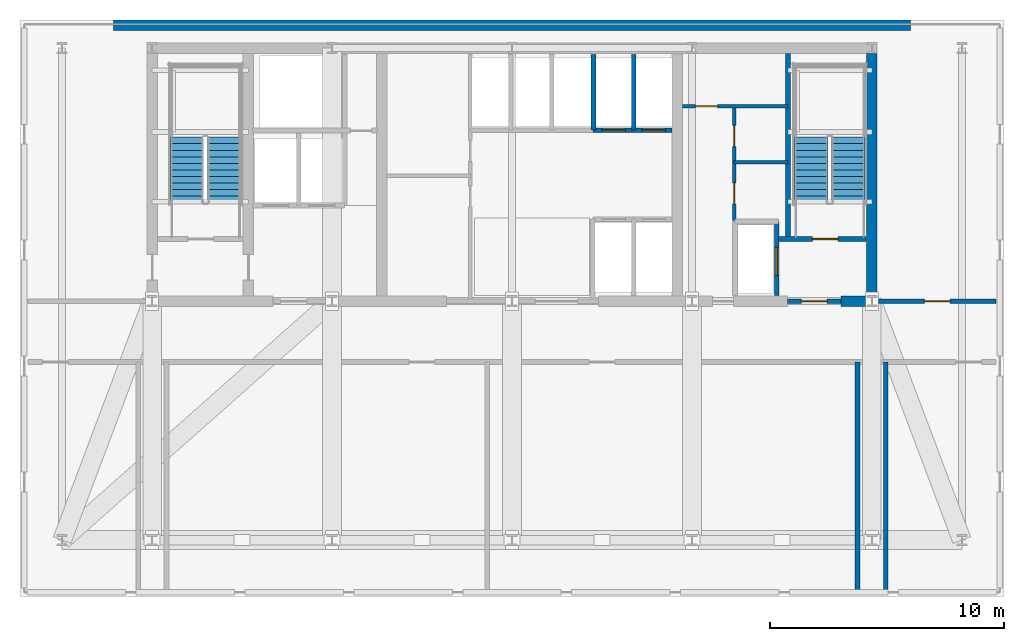
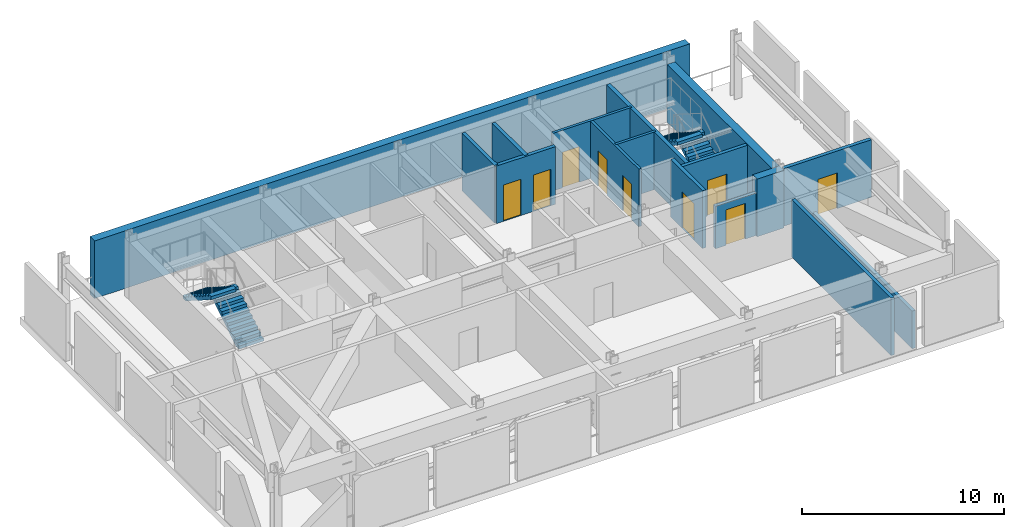
# One storey, part 3 of 7: 16 walls, 9 doors, 4 stair flights, 9 openings, 2 elements without a shape of their own.
"""IFC4 building model written with IfcOpenShell, lengths in metres."""

from ifc_helpers import new_model, si_unit, direction, frame, frame_2d, origin, place, context, subcontext, project, spatial, polyline, rectangle, outline, extrude, material, layer, layer_set, type_object, element, fill, aggregate, save


model = new_model("IFC4")

# Units and contexts
model_context = context("Model", 3, precision=1e-05, world=origin(), true_north=direction((0.0, 1.0)))
body_context = subcontext(model_context, "Body", "Model", "MODEL_VIEW")
ifc_project = project(units=[si_unit("LENGTHUNIT", "METRE"), si_unit("AREAUNIT", "SQUARE_METRE"), si_unit("VOLUMEUNIT", "CUBIC_METRE"), si_unit("PLANEANGLEUNIT", "RADIAN"), si_unit("MASSUNIT", "GRAM", prefix="KILO")], contexts=[model_context])

# Site, building, storey
site_placement = place(None, origin())
site = spatial("IfcSite", under=ifc_project, at=site_placement, CompositionType="ELEMENT")
building_placement = place(site_placement, origin())
building = spatial("IfcBuilding", under=site, at=building_placement, Name="Yelkora Congress Tower", CompositionType="ELEMENT")
storey_placement = place(building_placement, frame((0.0, 0.0, 145.10009765625)))
storey = spatial("IfcBuildingStorey", under=building, at=storey_placement, Name="L39", CompositionType="ELEMENT", Elevation=145.10009765625)

# Walls
ifc_material_1 = material(Name="Concrete C60/75", Category="concrete")
ifc_layer_1 = layer(ifc_material_1, 0.449951171875)
ifc_layer_set_1 = layer_set([ifc_layer_1], Name="Concrete C60/75")
wall_type_1 = type_object("IfcWallType", Name="WALL-CORE-EXT-450", PredefinedType="SHEAR", material=ifc_layer_set_1)
wall_1_placement = place(storey_placement, frame((21.39990234375, 47.175048828125, 0.0), z_axis=(0.0, 0.0, 1.0), x_axis=(1.0, 0.0, 0.0)))
element("IfcWall", 1, at=wall_1_placement, inside=storey, type_object=wall_type_1, Name="L39 Exterior North Core Shear Wall", PredefinedType="SHEAR", context=body_context, shape_type="SweptSolid", body=[
    extrude(rectangle(XDim=34.0, YDim=0.449951171875, at=frame_2d((17.0, 0.0))), origin(), (0.0, 0.0, 1.0), 3.47998046875),
])
ifc_material_2 = material(Name="Concrete C50/60", Category="concrete")
ifc_layer_2 = layer(ifc_material_2, 0.219970703125)
ifc_layer_set_2 = layer_set([ifc_layer_2], Name="Concrete C50/60")
wall_type_2 = type_object("IfcWallType", Name="WALL-CORE-INT-220", PredefinedType="SHEAR", material=ifc_layer_set_2)
wall_2_placement = place(storey_placement, frame((50.179931640625, 38.050048828125, 0.0), z_axis=(0.0, 0.0, 1.0), x_axis=(0.0, 1.0, 0.0)))
element("IfcWall", 2, at=wall_2_placement, inside=storey, type_object=wall_type_2, Name="L39 ST02 West Stair Shear Wall", PredefinedType="SHEAR", context=body_context, shape_type="SweptSolid", body=[
    extrude(rectangle(XDim=7.925048828125, YDim=0.219970703125, at=frame_2d((3.96240234375, 0.0))), origin(), (0.0, 0.0, 1.0), 3.47998046875),
])
ifc_layer_3 = layer(ifc_material_1, 0.449951171875)
ifc_layer_set_3 = layer_set([ifc_layer_3], Name="Concrete C60/75")
wall_type_3 = type_object("IfcWallType", Name="WALL-CORE-INT-450", PredefinedType="SHEAR", material=ifc_layer_set_3)
wall_3_placement = place(storey_placement, frame((52.449951171875, 35.39990234375, 0.0), z_axis=(0.0, 0.0, 1.0), x_axis=(1.0, 0.0, 0.0)))
element("IfcWall", 3, at=wall_3_placement, inside=storey, type_object=wall_type_3, Name="L39 Rear Core South-East Shear Wall B", PredefinedType="SHEAR", context=body_context, shape_type="SweptSolid", body=[
    extrude(rectangle(XDim=1.53515625, YDim=0.449951171875, at=frame_2d((0.767578125, 0.0))), origin(), (0.0, 0.0, 1.0), 3.47998046875),
])
wall_4_placement = place(storey_placement, frame((53.760009765625, 35.625, 0.0), z_axis=(0.0, 0.0, 1.0), x_axis=(0.0, 1.0, 0.0)))
element("IfcWall", 4, at=wall_4_placement, inside=storey, type_object=wall_type_3, Name="L39 Rear Core Cross Shear Wall E", PredefinedType="SHEAR", context=body_context, shape_type="SweptSolid", body=[
    extrude(rectangle(XDim=10.35009765625, YDim=0.449951171875, at=frame_2d((5.175048828125, 0.0))), origin(), (0.0, 0.0, 1.0), 3.47998046875),
])

# Wall, opening, door
ifc_material_3 = material(Name="Acoustic metal-stud gypsum partition", Category="gypsum")
ifc_layer_4 = layer(ifc_material_3, 0.14990234375)
ifc_layer_set_4 = layer_set([ifc_layer_4], Name="Acoustic metal-stud gypsum partition")
wall_type_4 = type_object("IfcWallType", Name="WALL-INT-150-NR", PredefinedType="PARTITIONING", material=ifc_layer_set_4)
wall_5_placement = place(storey_placement, frame((45.679931640625, 43.719970703125, 0.0), z_axis=(0.0, 0.0, 1.0), x_axis=(1.0, 0.0, 0.0)))
wall_5 = element("IfcWall", 5, at=wall_5_placement, inside=storey, type_object=wall_type_4, Name="L39 Partition Wall 24", PredefinedType="PARTITIONING", context=body_context, shape_type="SweptSolid", body=[
    extrude(rectangle(XDim=4.5, YDim=0.14990234375, at=frame_2d((2.25, 0.0))), origin(), (0.0, 0.0, 1.0), 3.47998046875),
])
opening_1_placement = place(wall_5_placement, frame((0.550048828125, 0.0, 0.0)))
opening_1 = element("IfcOpeningElement", 6, at=opening_1_placement, cuts=wall_5, Name="Opening DR-095N", PredefinedType="OPENING", context=body_context, shape_type="SweptSolid", body=[
    extrude(rectangle(XDim=0.949951171875, YDim=2.14990234375, at=frame_2d((0.47509765625, 1.074951171875))), frame((0.0, 0.0849609375, 0.0), z_axis=(0.0, -1.0, 0.0), x_axis=(1.0, 0.0, 0.0)), (0.0, 0.0, 1.0), 0.169921875),
])
ifc_material_4 = material(Name="Acoustic laminated timber office door", Category="wood")
door_type_1 = type_object("IfcDoorType", Name="DOOR-INT-950", OperationType="NOTDEFINED", PredefinedType="DOOR", material=ifc_material_4)
door_1_placement = place(opening_1_placement, origin())
door_1 = element("IfcDoor", 7, at=door_1_placement, inside=storey, type_object=door_type_1, Name="L39 Accessible WC Door", OperationType="SINGLE_SWING_RIGHT", OverallHeight=2.14990234375, OverallWidth=0.949951171875, PredefinedType="DOOR", context=body_context, shape_type="SweptSolid", body=[
    extrude(rectangle(XDim=0.949951171875, YDim=2.14990234375, at=frame_2d((0.47509765625, 1.074951171875))), frame((0.0, 0.02490234375, 0.0), z_axis=(0.0, -1.0, 0.0), x_axis=(1.0, 0.0, 0.0)), (0.0, 0.0, 1.0), 0.050048828125),
])
fill(opening_1, door_1)

# Wall
wall_6_placement = place(storey_placement, frame((47.8798828125, 41.320068359375, 0.0), z_axis=(0.0, 0.0, 1.0), x_axis=(1.0, 0.0, 0.0)))
element("IfcWall", 8, at=wall_6_placement, inside=storey, type_object=wall_type_4, Name="L39 Partition Wall 25", PredefinedType="PARTITIONING", context=body_context, shape_type="SweptSolid", body=[
    extrude(rectangle(XDim=2.300048828125, YDim=0.14990234375, at=frame_2d((1.14990234375, 0.0))), origin(), (0.0, 0.0, 1.0), 3.47998046875),
])

# Wall, openings, doors
wall_7_placement = place(storey_placement, frame((47.8798828125, 38.85009765625, 0.0), z_axis=(0.0, 0.0, 1.0), x_axis=(0.0, 1.0, 0.0)))
wall_7 = element("IfcWall", 9, at=wall_7_placement, inside=storey, type_object=wall_type_4, Name="L39 Partition Wall 26", PredefinedType="PARTITIONING", context=body_context, shape_type="SweptSolid", body=[
    extrude(rectangle(XDim=4.869873046875, YDim=0.14990234375, at=frame_2d((2.43505859375, 0.0))), origin(), (0.0, 0.0, 1.0), 3.47998046875),
])
opening_2_placement = place(wall_7_placement, frame((0.699951171875, 0.0, 0.0)))
opening_2 = element("IfcOpeningElement", 10, at=opening_2_placement, cuts=wall_7, Name="Opening DR-090N", PredefinedType="OPENING", context=body_context, shape_type="SweptSolid", body=[
    extrude(rectangle(XDim=0.89990234375, YDim=2.14990234375, at=frame_2d((0.449951171875, 1.074951171875))), frame((0.0, 0.0849609375, 0.0), z_axis=(0.0, -1.0, 0.0), x_axis=(1.0, 0.0, 0.0)), (0.0, 0.0, 1.0), 0.169921875),
])
opening_3_placement = place(wall_7_placement, frame((3.14990234375, 0.0, 0.0)))
opening_3 = element("IfcOpeningElement", 11, at=opening_3_placement, cuts=wall_7, Name="Opening DR-090N", PredefinedType="OPENING", context=body_context, shape_type="SweptSolid", body=[
    extrude(rectangle(XDim=0.89990234375, YDim=2.14990234375, at=frame_2d((0.449951171875, 1.074951171875))), frame((0.0, 0.0849609375, 0.0), z_axis=(0.0, -1.0, 0.0), x_axis=(1.0, 0.0, 0.0)), (0.0, 0.0, 1.0), 0.169921875),
])
ifc_material_5 = material(Name="Moisture-resistant laminate door leaf", Category="wood")
door_type_2 = type_object("IfcDoorType", Name="DOOR-INT-900", OperationType="NOTDEFINED", PredefinedType="DOOR", material=ifc_material_5)
door_2_placement = place(opening_2_placement, origin())
door_2 = element("IfcDoor", 12, at=door_2_placement, inside=storey, type_object=door_type_2, Name="L39 Male WC Door", OperationType="SINGLE_SWING_LEFT", OverallHeight=2.14990234375, OverallWidth=0.89990234375, PredefinedType="DOOR", context=body_context, shape_type="SweptSolid", body=[
    extrude(rectangle(XDim=0.89990234375, YDim=2.14990234375, at=frame_2d((0.449951171875, 1.074951171875))), frame((0.0, 0.02490234375, 0.0), z_axis=(0.0, -1.0, 0.0), x_axis=(1.0, 0.0, 0.0)), (0.0, 0.0, 1.0), 0.050048828125),
])
fill(opening_2, door_2)
door_3_placement = place(opening_3_placement, origin())
door_3 = element("IfcDoor", 13, at=door_3_placement, inside=storey, type_object=door_type_2, Name="L39 Female WC Door", OperationType="SINGLE_SWING_RIGHT", OverallHeight=2.14990234375, OverallWidth=0.89990234375, PredefinedType="DOOR", context=body_context, shape_type="SweptSolid", body=[
    extrude(rectangle(XDim=0.89990234375, YDim=2.14990234375, at=frame_2d((0.449951171875, 1.074951171875))), frame((0.0, 0.02490234375, 0.0), z_axis=(0.0, -1.0, 0.0), x_axis=(1.0, 0.0, 0.0)), (0.0, 0.0, 1.0), 0.050048828125),
])
fill(opening_3, door_3)

ifc_material_6 = material(Name="Autoclaved aerated concrete blockwork", Category="masonry")
ifc_layer_5 = layer(ifc_material_6, 0.199951171875)
ifc_layer_set_5 = layer_set([ifc_layer_5], Name="Autoclaved aerated concrete blockwork")
wall_type_5 = type_object("IfcWallType", Name="WALL-INT-200-R120", PredefinedType="PARTITIONING", material=ifc_layer_set_5)
wall_8_placement = place(storey_placement, frame((41.85009765625, 42.699951171875, 0.0), z_axis=(0.0, 0.0, 1.0), x_axis=(1.0, 0.0, 0.0)))
wall_8 = element("IfcWall", 14, at=wall_8_placement, inside=storey, type_object=wall_type_5, Name="L39 Partition Wall 14", PredefinedType="PARTITIONING", context=body_context, shape_type="SweptSolid", body=[
    extrude(rectangle(XDim=3.369873046875, YDim=0.199951171875, at=frame_2d((1.68505859375, 0.0))), origin(), (0.0, 0.0, 1.0), 3.47998046875),
])
opening_4_placement = place(wall_8_placement, frame((0.39990234375, 0.0, 0.0)))
opening_4 = element("IfcOpeningElement", 15, at=opening_4_placement, cuts=wall_8, Name="Opening LD-PS10", PredefinedType="OPENING", context=body_context, shape_type="SweptSolid", body=[
    extrude(rectangle(XDim=1.0, YDim=2.199951171875, at=frame_2d((0.5, 1.10009765625))), frame((0.0, 0.10986328125, 0.0), z_axis=(0.0, -1.0, 0.0), x_axis=(1.0, 0.0, 0.0)), (0.0, 0.0, 1.0), 0.219970703125),
])
opening_5_placement = place(wall_8_placement, frame((2.10009765625, 0.0, 0.0)))
opening_5 = element("IfcOpeningElement", 16, at=opening_5_placement, cuts=wall_8, Name="Opening LD-PS10", PredefinedType="OPENING", context=body_context, shape_type="SweptSolid", body=[
    extrude(rectangle(XDim=1.0, YDim=2.199951171875, at=frame_2d((0.5, 1.10009765625))), frame((0.0, 0.10986328125, 0.0), z_axis=(0.0, -1.0, 0.0), x_axis=(1.0, 0.0, 0.0)), (0.0, 0.0, 1.0), 0.219970703125),
])
ifc_material_7 = material(Name="Champagne stainless steel landing door", Category="steel")
door_type_3 = type_object("IfcDoorType", Name="DOOR-LIFT-PAS-1000", OperationType="DOUBLE_DOOR_SLIDING", PredefinedType="DOOR", material=ifc_material_7)
door_4_placement = place(opening_4_placement, origin())
door_4 = element("IfcDoor", 17, at=door_4_placement, inside=storey, type_object=door_type_3, Name="Lift Landing Door LF-P7 L39", OperationType="DOUBLE_DOOR_SLIDING", OverallHeight=2.199951171875, OverallWidth=1.0, PredefinedType="DOOR", context=body_context, shape_type="SweptSolid", body=[
    extrude(rectangle(XDim=1.0, YDim=2.199951171875, at=frame_2d((0.5, 1.10009765625))), frame((0.0, 0.02490234375, 0.0), z_axis=(0.0, -1.0, 0.0), x_axis=(1.0, 0.0, 0.0)), (0.0, 0.0, 1.0), 0.050048828125),
])
fill(opening_4, door_4)
door_5_placement = place(opening_5_placement, origin())
door_5 = element("IfcDoor", 18, at=door_5_placement, inside=storey, type_object=door_type_3, Name="Lift Landing Door LF-P8 L39", OperationType="DOUBLE_DOOR_SLIDING", OverallHeight=2.199951171875, OverallWidth=1.0, PredefinedType="DOOR", context=body_context, shape_type="SweptSolid", body=[
    extrude(rectangle(XDim=1.0, YDim=2.199951171875, at=frame_2d((0.5, 1.10009765625))), frame((0.0, 0.02490234375, 0.0), z_axis=(0.0, -1.0, 0.0), x_axis=(1.0, 0.0, 0.0)), (0.0, 0.0, 1.0), 0.050048828125),
])
fill(opening_5, door_5)

# Walls
for number, where, z_axis, x_axis, name in (
    (19, (43.60009765625, 42.699951171875, 0.0), (0.0, 0.0, 1.0), (0.0, 1.0, 0.0), "L39 Partition Wall 16"),
    (20, (41.8798828125, 42.699951171875, 0.0), (0.0, 0.0, 1.0), (0.0, 1.0, 0.0), "L39 Partition Wall 18"),
):
    element("IfcWall", number, at=place(storey_placement, frame(where, z_axis=z_axis, x_axis=x_axis)), inside=storey, type_object=wall_type_5, Name=name, PredefinedType="PARTITIONING", context=body_context, shape_type="SweptSolid", body=[
        extrude(rectangle(XDim=3.219970703125, YDim=0.199951171875, at=frame_2d((1.60986328125, 0.0))), origin(), (0.0, 0.0, 1.0), 3.47998046875),
    ])

# Wall, opening, door
wall_9_placement = place(storey_placement, frame((49.780029296875, 38.050048828125, 0.0), z_axis=(0.0, 0.0, 1.0), x_axis=(1.0, 0.0, 0.0)))
wall_9 = element("IfcWall", 21, at=wall_9_placement, inside=storey, type_object=wall_type_5, Name="L39 Stair ST-02 Enclosure Wall", PredefinedType="PARTITIONING", context=body_context, shape_type="SweptSolid", body=[
    extrude(rectangle(XDim=3.719970703125, YDim=0.199951171875, at=frame_2d((1.85986328125, 0.0))), origin(), (0.0, 0.0, 1.0), 3.47998046875),
])
opening_6_placement = place(wall_9_placement, frame((1.436279296875, 0.0, 0.0)))
opening_6 = element("IfcOpeningElement", 22, at=opening_6_placement, cuts=wall_9, Name="Opening DR-110F9", PredefinedType="OPENING", context=body_context, shape_type="SweptSolid", body=[
    extrude(rectangle(XDim=1.10009765625, YDim=2.14990234375, at=frame_2d((0.550048828125, 1.074951171875))), frame((0.0, 0.10986328125, 0.0), z_axis=(0.0, -1.0, 0.0), x_axis=(1.0, 0.0, 0.0)), (0.0, 0.0, 1.0), 0.219970703125),
])
ifc_material_8 = material(Name="Galvanised steel fire door leaf", Category="steel")
door_type_4 = type_object("IfcDoorType", Name="DOOR-FD90-1100", OperationType="NOTDEFINED", PredefinedType="DOOR", material=ifc_material_8)
door_6_placement = place(opening_6_placement, origin())
door_6 = element("IfcDoor", 23, at=door_6_placement, inside=storey, type_object=door_type_4, Name="L39 Stair ST-02 Entry Door", OperationType="SINGLE_SWING_LEFT", OverallHeight=2.14990234375, OverallWidth=1.10009765625, PredefinedType="DOOR", context=body_context, shape_type="SweptSolid", body=[
    extrude(rectangle(XDim=1.10009765625, YDim=2.14990234375, at=frame_2d((0.550048828125, 1.074951171875))), frame((0.0, 0.02490234375, 0.0), z_axis=(0.0, -1.0, 0.0), x_axis=(1.0, 0.0, 0.0)), (0.0, 0.0, 1.0), 0.050048828125),
])
fill(opening_6, door_6)

wall_10_placement = place(storey_placement, frame((50.14990234375, 35.39990234375, 0.0), z_axis=(0.0, 0.0, 1.0), x_axis=(1.0, 0.0, 0.0)))
wall_10 = element("IfcWall", 24, at=wall_10_placement, inside=storey, type_object=wall_type_5, Name="L39 Partition Wall 20", PredefinedType="PARTITIONING", context=body_context, shape_type="SweptSolid", body=[
    extrude(rectangle(XDim=2.300048828125, YDim=0.199951171875, at=frame_2d((1.14990234375, 0.0))), origin(), (0.0, 0.0, 1.0), 2.56494140625),
])
opening_7_placement = place(wall_10_placement, frame((0.60009765625, 0.0, 0.0)))
opening_7 = element("IfcOpeningElement", 25, at=opening_7_placement, cuts=wall_10, Name="Opening DR-110F9", PredefinedType="OPENING", context=body_context, shape_type="SweptSolid", body=[
    extrude(rectangle(XDim=1.10009765625, YDim=2.14990234375, at=frame_2d((0.550048828125, 1.074951171875))), frame((0.0, 0.10986328125, 0.0), z_axis=(0.0, -1.0, 0.0), x_axis=(1.0, 0.0, 0.0)), (0.0, 0.0, 1.0), 0.219970703125),
])
door_7_placement = place(opening_7_placement, origin())
door_7 = element("IfcDoor", 26, at=door_7_placement, inside=storey, type_object=door_type_4, Name="L39 East Stair Lobby Door", OperationType="SINGLE_SWING_RIGHT", OverallHeight=2.14990234375, OverallWidth=1.10009765625, PredefinedType="DOOR", context=body_context, shape_type="SweptSolid", body=[
    extrude(rectangle(XDim=1.10009765625, YDim=2.14990234375, at=frame_2d((0.550048828125, 1.074951171875))), frame((0.0, 0.02490234375, 0.0), z_axis=(0.0, -1.0, 0.0), x_axis=(1.0, 0.0, 0.0)), (0.0, 0.0, 1.0), 0.050048828125),
])
fill(opening_7, door_7)

wall_11_placement = place(storey_placement, frame((49.699951171875, 35.64990234375, 0.0), z_axis=(0.0, 0.0, 1.0), x_axis=(0.0, 1.0, 0.0)))
wall_11 = element("IfcWall", 27, at=wall_11_placement, inside=storey, type_object=wall_type_5, Name="L39 Partition Wall 21", PredefinedType="PARTITIONING", context=body_context, shape_type="SweptSolid", body=[
    extrude(rectangle(XDim=3.150146484375, YDim=0.199951171875, at=frame_2d((1.5751953125, 0.0))), origin(), (0.0, 0.0, 1.0), 3.47998046875),
])
opening_8_placement = place(wall_11_placement, frame((0.85009765625, 0.0, 0.0)))
opening_8 = element("IfcOpeningElement", 28, at=opening_8_placement, cuts=wall_11, Name="Opening LD-SV12", PredefinedType="OPENING", context=body_context, shape_type="SweptSolid", body=[
    extrude(rectangle(XDim=1.199951171875, YDim=2.199951171875, at=frame_2d((0.60009765625, 1.10009765625))), frame((0.0, 0.10986328125, 0.0), z_axis=(0.0, -1.0, 0.0), x_axis=(1.0, 0.0, 0.0)), (0.0, 0.0, 1.0), 0.219970703125),
])
ifc_material_9 = material(Name="Heavy-duty stainless steel landing door", Category="steel")
door_type_5 = type_object("IfcDoorType", Name="DOOR-LIFT-SRV-1200", OperationType="DOUBLE_DOOR_SLIDING", PredefinedType="DOOR", material=ifc_material_9)
door_8_placement = place(opening_8_placement, origin())
door_8 = element("IfcDoor", 29, at=door_8_placement, inside=storey, type_object=door_type_5, Name="Service Lift Landing Door LF-SV1 L39", OperationType="DOUBLE_DOOR_SLIDING", OverallHeight=2.199951171875, OverallWidth=1.199951171875, PredefinedType="DOOR", context=body_context, shape_type="SweptSolid", body=[
    extrude(rectangle(XDim=1.199951171875, YDim=2.199951171875, at=frame_2d((0.60009765625, 1.10009765625))), frame((0.0, 0.02490234375, 0.0), z_axis=(0.0, -1.0, 0.0), x_axis=(1.0, 0.0, 0.0)), (0.0, 0.0, 1.0), 0.050048828125),
])
fill(opening_8, door_8)

wall_12_placement = place(storey_placement, frame((54.050048828125, 35.39990234375, 0.0), z_axis=(0.0, 0.0, 1.0), x_axis=(1.0, 0.0, 0.0)))
wall_12 = element("IfcWall", 30, at=wall_12_placement, inside=storey, type_object=wall_type_5, Name="L39 Partition Wall 28", PredefinedType="PARTITIONING", context=body_context, shape_type="SweptSolid", body=[
    extrude(rectangle(XDim=5.0, YDim=0.199951171875, at=frame_2d((2.5, 0.0))), origin(), (0.0, 0.0, 1.0), 3.47998046875),
])
opening_9_placement = place(wall_12_placement, frame((1.949951171875, 0.0, 0.0)))
opening_9 = element("IfcOpeningElement", 31, at=opening_9_placement, cuts=wall_12, Name="Opening DR-110F9", PredefinedType="OPENING", context=body_context, shape_type="SweptSolid", body=[
    extrude(rectangle(XDim=1.10009765625, YDim=2.14990234375, at=frame_2d((0.550048828125, 1.074951171875))), frame((0.0, 0.10986328125, 0.0), z_axis=(0.0, -1.0, 0.0), x_axis=(1.0, 0.0, 0.0)), (0.0, 0.0, 1.0), 0.219970703125),
])
door_9_placement = place(opening_9_placement, origin())
door_9 = element("IfcDoor", 32, at=door_9_placement, inside=storey, type_object=door_type_4, Name="L39 Interior Door 19", OperationType="SINGLE_SWING_LEFT", OverallHeight=2.14990234375, OverallWidth=1.10009765625, PredefinedType="DOOR", context=body_context, shape_type="SweptSolid", body=[
    extrude(rectangle(XDim=1.10009765625, YDim=2.14990234375, at=frame_2d((0.550048828125, 1.074951171875))), frame((0.0, 0.02490234375, 0.0), z_axis=(0.0, -1.0, 0.0), x_axis=(1.0, 0.0, 0.0)), (0.0, 0.0, 1.0), 0.050048828125),
])
fill(opening_9, door_9)

# Walls
wall_13_placement = place(storey_placement, frame((53.14990234375, 22.97998046875, 0.0), z_axis=(0.0, 0.0, 1.0), x_axis=(0.0, 1.0, 0.0)))
element("IfcWall", 33, at=wall_13_placement, inside=storey, type_object=wall_type_5, Name="L39 Partition Wall 32", PredefinedType="PARTITIONING", context=body_context, shape_type="SweptSolid", body=[
    extrude(rectangle(XDim=9.820068359375, YDim=0.199951171875, at=frame_2d((4.91015625, 0.0))), origin(), (0.0, 0.0, 1.0), 3.47998046875),
])
wall_14_placement = place(storey_placement, frame((54.35009765625, 22.97998046875, 0.0), z_axis=(0.0, 0.0, 1.0), x_axis=(0.0, 1.0, 0.0)))
element("IfcWall", 34, at=wall_14_placement, inside=storey, type_object=wall_type_5, Name="L39 Partition Wall 33", PredefinedType="PARTITIONING", context=body_context, shape_type="SweptSolid", body=[
    extrude(rectangle(XDim=9.820068359375, YDim=0.199951171875, at=frame_2d((4.91015625, 0.0))), origin(), (0.0, 0.0, 1.0), 2.27490234375),
])

# Stair, stair flights
ifc_material_10 = material(Name="Concrete C40/50", Category="concrete")
stair_type = type_object("IfcStairType", Name="STAIR-HT-1420-R22-177", PredefinedType="HALF_TURN_STAIR", material=ifc_material_10)
stair_1_placement = place(storey_placement, origin())
stair_1 = element("IfcStair", 35, at=stair_1_placement, inside=storey, type_object=stair_type, Name="West Core Protected Exit Stair ST-01 (L39)", PredefinedType="HALF_TURN_STAIR")
stair_flight_type = type_object("IfcStairFlightType", Name="FLIGHT-1420-N11-R177-G280", PredefinedType="STRAIGHT", material=ifc_material_10)
stair_flight_1_placement = place(storey_placement, frame((26.110107421875, 39.60009765625, 0.0), z_axis=(0.0, 0.0, 1.0), x_axis=(0.0, 1.0, 0.0)))
stair_flight_1 = element("IfcStairFlight", 36, at=stair_flight_1_placement, type_object=stair_flight_type, Name="ST-01 L39 Flight 1", NumberOfRisers=11, NumberOfTreads=10, PredefinedType="STRAIGHT", RiserHeight=0.177272727, TreadLength=0.28, context=body_context, shape_type="SweptSolid", body=[
    extrude(outline(polyline([(0.0, 0.0), (0.0, 0.17724609375), (0.280029296875, 0.17724609375), (0.280029296875, 0.3544921875), (0.56005859375, 0.3544921875), (0.56005859375, 0.53173828125), (0.840087890625, 0.53173828125), (0.840087890625, 0.708984375), (1.1201171875, 0.708984375), (1.1201171875, 0.886474609375), (1.39990234375, 0.886474609375), (1.39990234375, 1.063720703125), (1.679931640625, 1.063720703125), (1.679931640625, 1.240966796875), (1.9599609375, 1.240966796875), (1.9599609375, 1.418212890625), (2.239990234375, 1.418212890625), (2.239990234375, 1.595458984375), (2.52001953125, 1.595458984375), (2.52001953125, 1.772705078125), (2.800048828125, 1.772705078125), (2.800048828125, 1.949951171875), (2.800048828125, 1.58349609375), (0.298828125, 0.0), (0.0, 0.0)])), frame((0.0, 0.7099609375, 0.0), z_axis=(0.0, -1.0, 0.0), x_axis=(1.0, 0.0, 0.0)), (0.0, 0.0, 1.0), 1.419921875),
])
stair_flight_2_placement = place(storey_placement, frame((24.530029296875, 42.39990234375, 1.949951171875), z_axis=(0.0, 0.0, 1.0), x_axis=(0.0, -1.0, 0.0)))
stair_flight_2 = element("IfcStairFlight", 37, at=stair_flight_2_placement, type_object=stair_flight_type, Name="ST-01 L39 Flight 2", NumberOfRisers=11, NumberOfTreads=10, PredefinedType="STRAIGHT", RiserHeight=0.177272727, TreadLength=0.28, context=body_context, shape_type="SweptSolid", body=[
    extrude(outline(polyline([(0.0, 0.0), (0.0, 0.17724609375), (0.280029296875, 0.17724609375), (0.280029296875, 0.3544921875), (0.56005859375, 0.3544921875), (0.56005859375, 0.53173828125), (0.840087890625, 0.53173828125), (0.840087890625, 0.708984375), (1.1201171875, 0.708984375), (1.1201171875, 0.886474609375), (1.39990234375, 0.886474609375), (1.39990234375, 1.063720703125), (1.679931640625, 1.063720703125), (1.679931640625, 1.240966796875), (1.9599609375, 1.240966796875), (1.9599609375, 1.418212890625), (2.239990234375, 1.418212890625), (2.239990234375, 1.595458984375), (2.52001953125, 1.595458984375), (2.52001953125, 1.772705078125), (2.800048828125, 1.772705078125), (2.800048828125, 1.949951171875), (2.800048828125, 1.58349609375), (0.298828125, 0.0), (0.0, 0.0)])), frame((0.0, 0.7099609375, 0.0), z_axis=(0.0, -1.0, 0.0), x_axis=(1.0, 0.0, 0.0)), (0.0, 0.0, 1.0), 1.419921875),
])
aggregate(stair_1, [stair_flight_1, stair_flight_2])

stair_2_placement = place(storey_placement, origin())
stair_2 = element("IfcStair", 38, at=stair_2_placement, inside=storey, type_object=stair_type, Name="East Core Protected Exit Stair ST-02 (L39)", PredefinedType="HALF_TURN_STAIR")
stair_flight_3_placement = place(storey_placement, frame((52.75, 39.60009765625, 0.0), z_axis=(0.0, 0.0, 1.0), x_axis=(0.0, 1.0, 0.0)))
stair_flight_3 = element("IfcStairFlight", 39, at=stair_flight_3_placement, type_object=stair_flight_type, Name="ST-02 L39 Flight 1", NumberOfRisers=11, NumberOfTreads=10, PredefinedType="STRAIGHT", RiserHeight=0.177272727, TreadLength=0.28, context=body_context, shape_type="SweptSolid", body=[
    extrude(outline(polyline([(0.0, 0.0), (0.0, 0.17724609375), (0.280029296875, 0.17724609375), (0.280029296875, 0.3544921875), (0.56005859375, 0.3544921875), (0.56005859375, 0.53173828125), (0.840087890625, 0.53173828125), (0.840087890625, 0.708984375), (1.1201171875, 0.708984375), (1.1201171875, 0.886474609375), (1.39990234375, 0.886474609375), (1.39990234375, 1.063720703125), (1.679931640625, 1.063720703125), (1.679931640625, 1.240966796875), (1.9599609375, 1.240966796875), (1.9599609375, 1.418212890625), (2.239990234375, 1.418212890625), (2.239990234375, 1.595458984375), (2.52001953125, 1.595458984375), (2.52001953125, 1.772705078125), (2.800048828125, 1.772705078125), (2.800048828125, 1.949951171875), (2.800048828125, 1.58349609375), (0.298828125, 0.0), (0.0, 0.0)])), frame((0.0, 0.7099609375, 0.0), z_axis=(0.0, -1.0, 0.0), x_axis=(1.0, 0.0, 0.0)), (0.0, 0.0, 1.0), 1.419921875),
])
stair_flight_4_placement = place(storey_placement, frame((51.169921875, 42.39990234375, 1.949951171875), z_axis=(0.0, 0.0, 1.0), x_axis=(0.0, -1.0, 0.0)))
stair_flight_4 = element("IfcStairFlight", 40, at=stair_flight_4_placement, type_object=stair_flight_type, Name="ST-02 L39 Flight 2", NumberOfRisers=11, NumberOfTreads=10, PredefinedType="STRAIGHT", RiserHeight=0.177272727, TreadLength=0.28, context=body_context, shape_type="SweptSolid", body=[
    extrude(outline(polyline([(0.0, 0.0), (0.0, 0.17724609375), (0.280029296875, 0.17724609375), (0.280029296875, 0.3544921875), (0.56005859375, 0.3544921875), (0.56005859375, 0.53173828125), (0.840087890625, 0.53173828125), (0.840087890625, 0.708984375), (1.1201171875, 0.708984375), (1.1201171875, 0.886474609375), (1.39990234375, 0.886474609375), (1.39990234375, 1.063720703125), (1.679931640625, 1.063720703125), (1.679931640625, 1.240966796875), (1.9599609375, 1.240966796875), (1.9599609375, 1.418212890625), (2.239990234375, 1.418212890625), (2.239990234375, 1.595458984375), (2.52001953125, 1.595458984375), (2.52001953125, 1.772705078125), (2.800048828125, 1.772705078125), (2.800048828125, 1.949951171875), (2.800048828125, 1.58349609375), (0.298828125, 0.0), (0.0, 0.0)])), frame((0.0, 0.7099609375, 0.0), z_axis=(0.0, -1.0, 0.0), x_axis=(1.0, 0.0, 0.0)), (0.0, 0.0, 1.0), 1.419921875),
])
aggregate(stair_2, [stair_flight_3, stair_flight_4])

save(model, "model.ifc")
